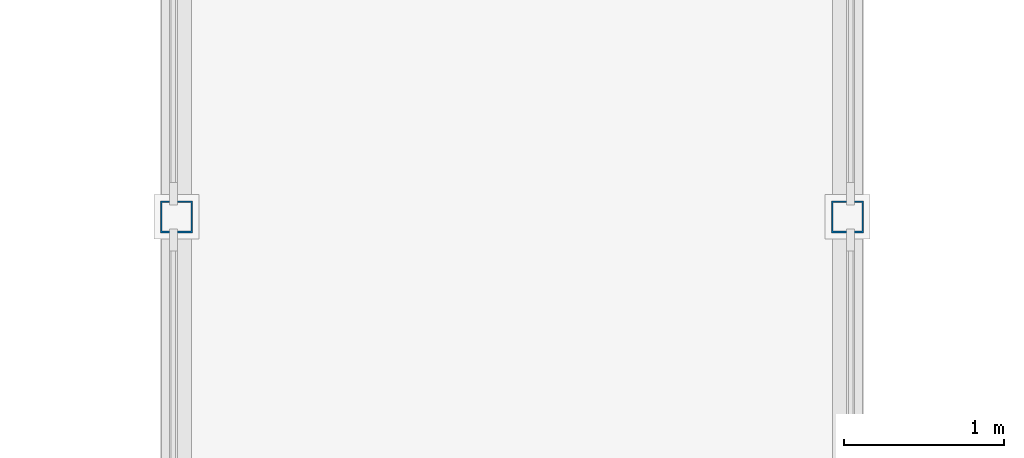
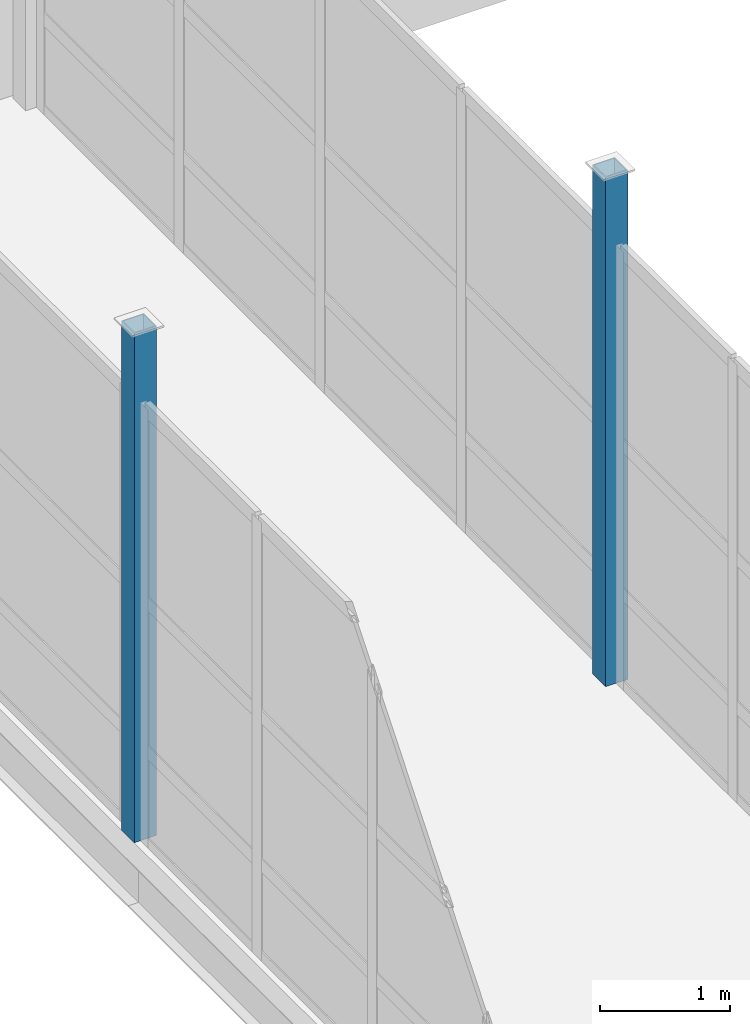
# One storey, part 15 of 131: 2 columns.
"""IFC4 building model written with IfcOpenShell, lengths in metres."""

from ifc_helpers import new_model, si_unit, direction, frame, origin, origin_2d, place, context, subcontext, project, spatial, hollow_rectangle, extrude, material, material_profile, profile_set, type_object, element, save


model = new_model("IFC4")

# Units and contexts
model_context = context("Model", 3, precision=1e-05, world=origin(), true_north=direction((0.0, 1.0)))
body_context = subcontext(model_context, "Body", "Model", "MODEL_VIEW")
ifc_project = project(units=[si_unit("LENGTHUNIT", "METRE"), si_unit("AREAUNIT", "SQUARE_METRE"), si_unit("VOLUMEUNIT", "CUBIC_METRE"), si_unit("PLANEANGLEUNIT", "RADIAN"), si_unit("MASSUNIT", "GRAM", prefix="KILO")], contexts=[model_context])

# Site, building, storey
site_placement = place(None, origin())
site = spatial("IfcSite", under=ifc_project, at=site_placement, CompositionType="ELEMENT")
building_placement = place(site_placement, origin())
building = spatial("IfcBuilding", under=site, at=building_placement, Name="Celorna Specialist Clinic", CompositionType="ELEMENT")
storey_placement = place(building_placement, origin())
storey = spatial("IfcBuildingStorey", under=building, at=storey_placement, Name="L00", CompositionType="ELEMENT", Elevation=0.0)

# Columns
ifc_material = material(Name="Steel S355", Category="steel")
ifc_material_profile = material_profile(ifc_material, hollow_rectangle(XDim=0.199951171875, YDim=0.199951171875, WallThickness=0.010009765625, at=origin_2d()), Name="SHS 200x200x10")
ifc_profile_set = profile_set([ifc_material_profile], Name="Steel S355")
column_type = type_object("IfcColumnType", Name="CT-15", PredefinedType="COLUMN", material=ifc_profile_set)
for number, where, z_axis, x_axis, name in (
    (1, (72.300048828125, 87.25, 0.0), (0.0, 0.0, 1.0), (1.0, 0.0, 0.0), "Column CT-15 L00 X10/YQ"),
    (2, (76.5, 87.25, 0.0), (0.0, 0.0, 1.0), (1.0, 0.0, 0.0), "Column CT-15 L00 X11/YQ"),
):
    element("IfcColumn", number, at=place(storey_placement, frame(where, z_axis=z_axis, x_axis=x_axis)), inside=storey, type_object=column_type, Name=name, PredefinedType="COLUMN", context=body_context, shape_type="SweptSolid", body=[
        extrude(hollow_rectangle(XDim=0.199951171875, YDim=0.199951171875, WallThickness=0.010009765625, at=origin_2d()), origin(), (0.0, 0.0, 1.0), 4.800048828125),
    ])

save(model, "model.ifc")
